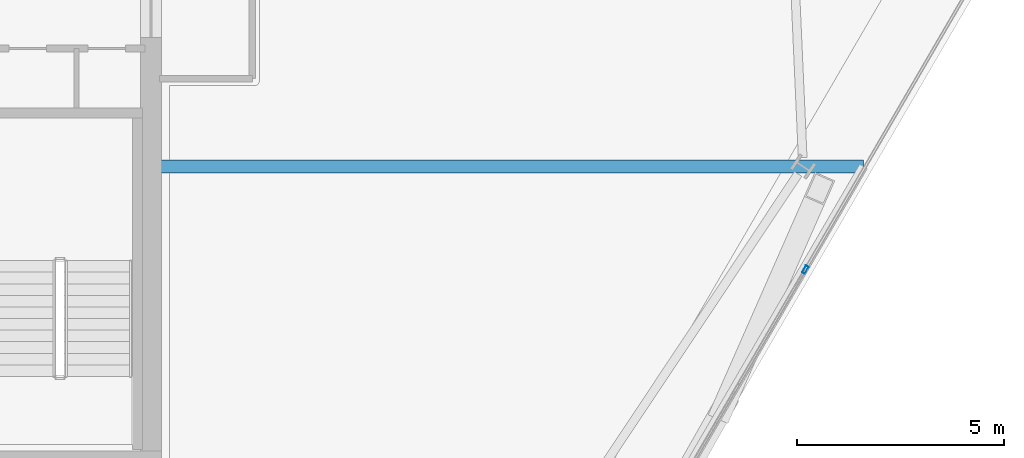
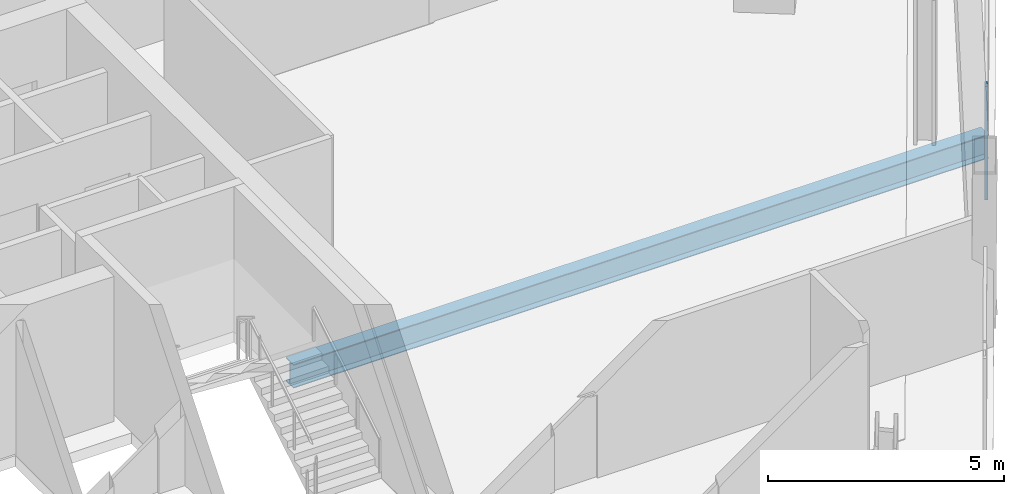
# One storey, part 11 of 29: 1 beam, 1 member, 1 element without a shape of its own.
"""IFC4 building model written with IfcOpenShell, lengths in metres."""

from ifc_helpers import new_model, si_unit, direction, frame, origin, origin_2d, place, context, subcontext, project, spatial, hollow_rectangle, i_section, extrude, material, material_profile, profile_set, type_object, element, aggregate, save


model = new_model("IFC4")

# Units and contexts
model_context = context("Model", 3, precision=1e-05, world=origin(), true_north=direction((0.0, 1.0)))
body_context = subcontext(model_context, "Body", "Model", "MODEL_VIEW")
ifc_project = project(units=[si_unit("LENGTHUNIT", "METRE"), si_unit("AREAUNIT", "SQUARE_METRE"), si_unit("VOLUMEUNIT", "CUBIC_METRE"), si_unit("PLANEANGLEUNIT", "RADIAN"), si_unit("MASSUNIT", "GRAM", prefix="KILO")], contexts=[model_context])

# Site, building, storey
site_placement = place(None, origin())
site = spatial("IfcSite", under=ifc_project, at=site_placement, CompositionType="ELEMENT")
building_placement = place(site_placement, origin())
building = spatial("IfcBuilding", under=site, at=building_placement, Name="Haldenkirk Collegiate Tower", CompositionType="ELEMENT")
storey_placement = place(building_placement, frame((0.0, 0.0, 228.449951171875)))
storey = spatial("IfcBuildingStorey", under=building, at=storey_placement, Name="L57", CompositionType="ELEMENT", Elevation=228.449951171875)

# Beam
ifc_material_1 = material(Name="Steel ASTM A992 Grade 50", Category="steel")
ifc_material_profile_1 = material_profile(ifc_material_1, i_section(OverallWidth=0.324951171875, OverallDepth=0.615966796875, WebThickness=0.013916015625, FlangeThickness=0.021484375, at=origin_2d()), Name="W24X117")
ifc_profile_set_1 = profile_set([ifc_material_profile_1], Name="Steel ASTM A992 Grade 50")
beam_type = type_object("IfcBeamType", Name="BM-GIRDER-W24X117", PredefinedType="BEAM", material=ifc_profile_set_1)
beam_placement = place(storey_placement, frame((62.22509765625, 25.12646484375, -0.587890625), z_axis=(-1.0, 0.0, 0.0), x_axis=(0.0, -1.0, 0.0)))
element("IfcBeam", 1, at=beam_placement, inside=storey, type_object=beam_type, Name="L57 primary floor girder 07", PredefinedType="BEAM", context=body_context, shape_type="SweptSolid", body=[
    extrude(i_section(OverallWidth=0.324951171875, OverallDepth=0.615966796875, WebThickness=0.013916015625, FlangeThickness=0.021484375, at=origin_2d()), origin(), (0.0, 0.0, 1.0), 16.9951171875),
])

# Curtain wall, member
ifc_material_2 = material(Name="Anodised architectural bronze aluminium", Category="aluminium")
curtain_wall_type = type_object("IfcCurtainWallType", Name="CW-SYS2-CONCAVE", PredefinedType="USERDEFINED", material=ifc_material_2)
curtain_wall_placement = place(storey_placement, origin())
curtain_wall = element("IfcCurtainWall", 2, at=curtain_wall_placement, inside=storey, type_object=curtain_wall_type, Name="L57 South concave recessed bronze-anodised curtain wall", ObjectType="UNITISED CURTAIN WALL", PredefinedType="USERDEFINED")
ifc_material_profile_2 = material_profile(ifc_material_2, hollow_rectangle(XDim=0.074951171875, YDim=0.18994140625, WallThickness=0.0048828125, at=origin_2d()), Name="CW-MUL-02")
ifc_profile_set_2 = profile_set([ifc_material_profile_2], Name="Anodised architectural bronze aluminium")
member_type = type_object("IfcMemberType", Name="CW-MUL-02", PredefinedType="MULLION", material=ifc_profile_set_2)
member_placement = place(storey_placement, frame((60.820068359375, 22.633056640625, 0.0), z_axis=(0.0, 0.0, 1.0), x_axis=(0.864275549506, -0.503018662205, 0.0)))
member = element("IfcMember", 3, at=member_placement, type_object=member_type, Name="CW-02 mullion 2", PredefinedType="MULLION", context=body_context, shape_type="SweptSolid", body=[
    extrude(hollow_rectangle(XDim=0.074951171875, YDim=0.18994140625, WallThickness=0.0048828125, at=origin_2d()), origin(), (0.0, 0.0, 1.0), 2.927978515625),
])
aggregate(curtain_wall, [member])

save(model, "model.ifc")
